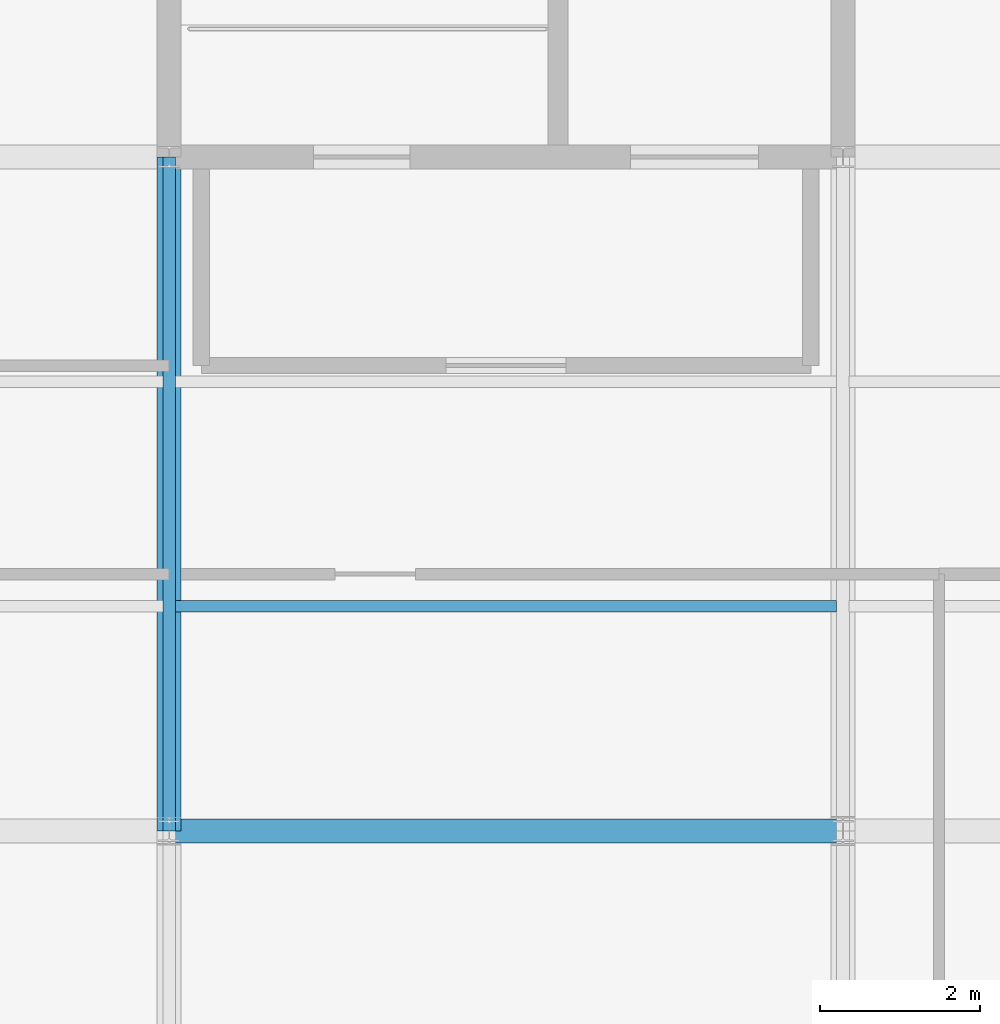
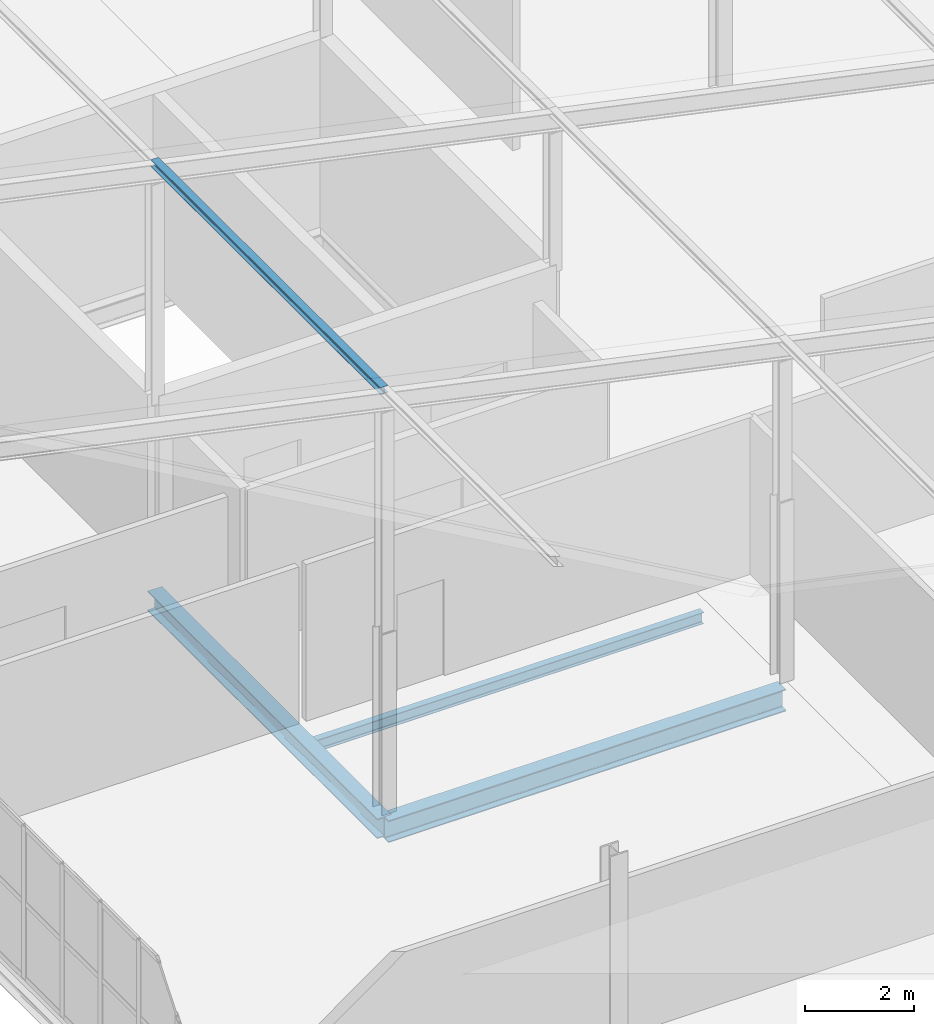
# One storey, part 50 of 184: 3 beams, 1 member.
"""IFC4 building model written with IfcOpenShell, lengths in metres."""

from ifc_helpers import new_model, si_unit, direction, frame, origin, origin_2d, place, context, subcontext, project, spatial, i_section, extrude, material, material_profile, profile_set, type_object, element, save


model = new_model("IFC4")

# Units and contexts
model_context = context("Model", 3, precision=1e-05, world=origin(), true_north=direction((0.0, 1.0)))
body_context = subcontext(model_context, "Body", "Model", "MODEL_VIEW")
ifc_project = project(units=[si_unit("LENGTHUNIT", "METRE"), si_unit("AREAUNIT", "SQUARE_METRE"), si_unit("VOLUMEUNIT", "CUBIC_METRE"), si_unit("PLANEANGLEUNIT", "RADIAN"), si_unit("MASSUNIT", "GRAM", prefix="KILO")], contexts=[model_context])

# Site, building, storey
site_placement = place(None, origin())
site = spatial("IfcSite", under=ifc_project, at=site_placement, CompositionType="ELEMENT")
building_placement = place(site_placement, origin())
building = spatial("IfcBuilding", under=site, at=building_placement, Name="Qalvenar Corner Mobility Hub", CompositionType="ELEMENT")
storey_placement = place(building_placement, frame((0.0, 0.0, 9.0)))
storey = spatial("IfcBuildingStorey", under=building, at=storey_placement, Name="L02", CompositionType="ELEMENT", Elevation=9.0)

# Beams
ifc_material = material(Name="Steel S355", Category="steel")
ifc_material_profile_1 = material_profile(ifc_material, i_section(OverallWidth=0.300048828125, OverallDepth=0.43994140625, WebThickness=0.011474609375, FlangeThickness=0.02099609375, FilletRadius=0.027099609375, at=origin_2d()), Name="HEA450")
ifc_profile_set_1 = profile_set([ifc_material_profile_1], Name="Steel S355")
beam_type_1 = type_object("IfcBeamType", Name="BM-HEA450", PredefinedType="BEAM", material=ifc_profile_set_1)
beam_1_placement = place(storey_placement, frame((8.39990234375, 50.39990234375, -0.39990234375), z_axis=(0.0, 1.0, 0.0), x_axis=(-1.0, 0.0, 0.0)))
element("IfcBeam", 1, at=beam_1_placement, inside=storey, type_object=beam_type_1, Name="Primary Steel Girder GY-1845", PredefinedType="BEAM", context=body_context, shape_type="SweptSolid", body=[
    extrude(i_section(OverallWidth=0.300048828125, OverallDepth=0.43994140625, WebThickness=0.011474609375, FlangeThickness=0.02099609375, FilletRadius=0.027099609375, at=origin_2d()), origin(), (0.0, 0.0, 1.0), 8.400146484375),
])
ifc_material_profile_2 = material_profile(ifc_material, i_section(OverallWidth=0.300048828125, OverallDepth=0.489990234375, WebThickness=0.011962890625, FlangeThickness=0.02294921875, FilletRadius=0.027099609375, at=origin_2d()), Name="HEA500")
ifc_profile_set_2 = profile_set([ifc_material_profile_2], Name="Steel S355")
beam_type_2 = type_object("IfcBeamType", Name="BM-HEA500", PredefinedType="BEAM", material=ifc_profile_set_2)
beam_2_placement = place(storey_placement, frame((8.39990234375, 50.39990234375, -0.425048828125), z_axis=(1.0, 0.0, 0.0), x_axis=(0.0, 1.0, 0.0)))
element("IfcBeam", 2, at=beam_2_placement, inside=storey, type_object=beam_type_2, Name="Primary Steel Girder GX-1820", PredefinedType="BEAM", context=body_context, shape_type="SweptSolid", body=[
    extrude(i_section(OverallWidth=0.300048828125, OverallDepth=0.489990234375, WebThickness=0.011962890625, FlangeThickness=0.02294921875, FilletRadius=0.027099609375, at=origin_2d()), origin(), (0.0, 0.0, 1.0), 8.400146484375),
])
ifc_material_profile_3 = material_profile(ifc_material, i_section(OverallWidth=0.14599609375, OverallDepth=0.258056640625, WebThickness=0.006103515625, FlangeThickness=0.009033203125, FilletRadius=0.011962890625, at=origin_2d()), Name="W250x32.7")
ifc_profile_set_3 = profile_set([ifc_material_profile_3], Name="Steel S355")
beam_type_3 = type_object("IfcBeamType", Name="BM-JST250", PredefinedType="JOIST", material=ifc_profile_set_3)
beam_3_placement = place(storey_placement, frame((8.47802734375, 53.199951171875, -0.30908203125), z_axis=(1.0, 0.0, 0.0), x_axis=(0.0, 1.0, 0.0)))
element("IfcBeam", 3, at=beam_3_placement, inside=storey, type_object=beam_type_3, Name="Composite Floor Joist J-1876", PredefinedType="JOIST", context=body_context, shape_type="SweptSolid", body=[
    extrude(i_section(OverallWidth=0.14599609375, OverallDepth=0.258056640625, WebThickness=0.006103515625, FlangeThickness=0.009033203125, FilletRadius=0.011962890625, at=origin_2d()), origin(), (0.0, 0.0, 1.0), 8.243896484375),
])

# Member
ifc_material_profile_4 = material_profile(ifc_material, i_section(OverallWidth=0.159912109375, OverallDepth=0.159912109375, WebThickness=0.008056640625, FlangeThickness=0.012939453125, FilletRadius=0.014892578125, at=origin_2d()), Name="HEB160")
ifc_profile_set_4 = profile_set([ifc_material_profile_4], Name="Steel S355")
member_type = type_object("IfcMemberType", Name="PR-RHS160", PredefinedType="PURLIN", material=ifc_profile_set_4)
member_placement = place(storey_placement, frame((8.39990234375, 50.39990234375, 9.35009765625), z_axis=(0.0, 1.0, 0.0), x_axis=(-1.0, 0.0, 0.0)))
element("IfcMember", 4, at=member_placement, inside=storey, type_object=member_type, Name="Bicycle Hall Roof Purlin PR-V5-2-8", PredefinedType="PURLIN", context=body_context, shape_type="SweptSolid", body=[
    extrude(i_section(OverallWidth=0.159912109375, OverallDepth=0.159912109375, WebThickness=0.008056640625, FlangeThickness=0.012939453125, FilletRadius=0.014892578125, at=origin_2d()), origin(), (0.0, 0.0, 1.0), 8.400146484375),
])

save(model, "model.ifc")
